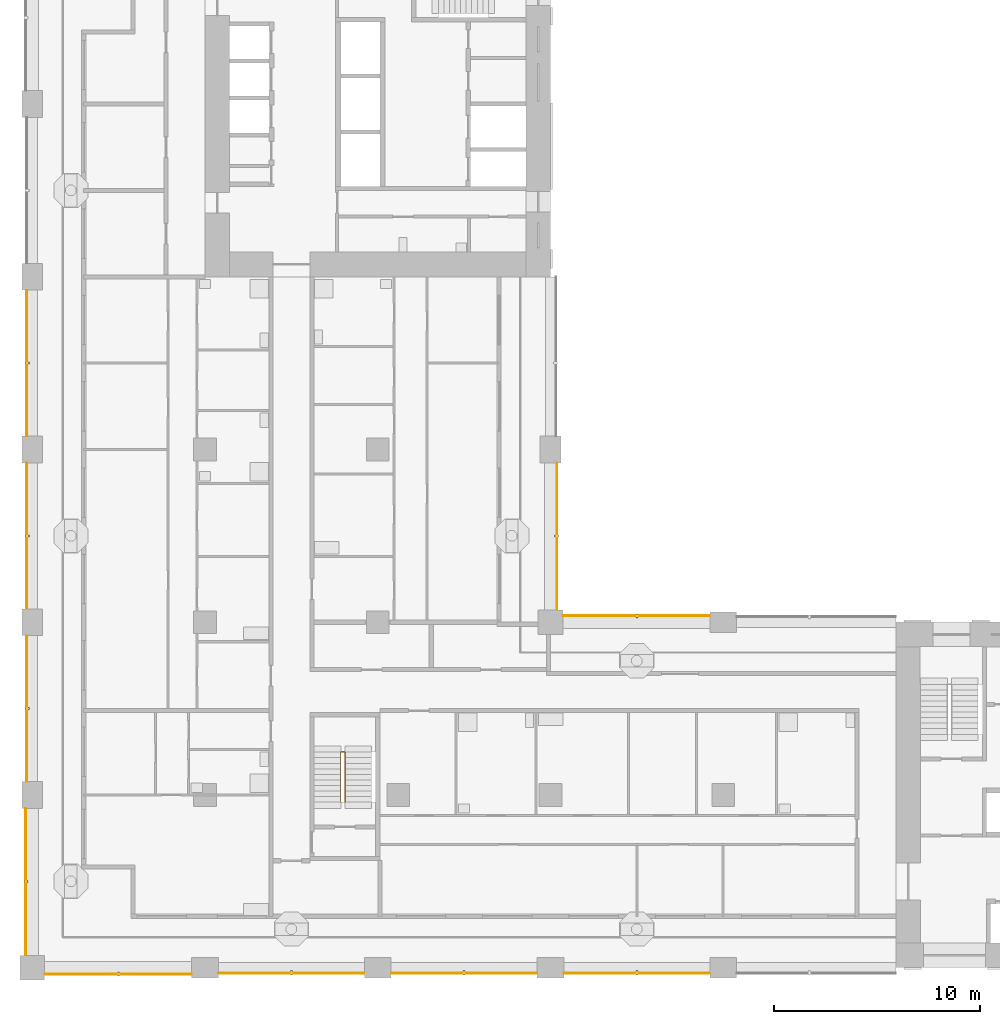
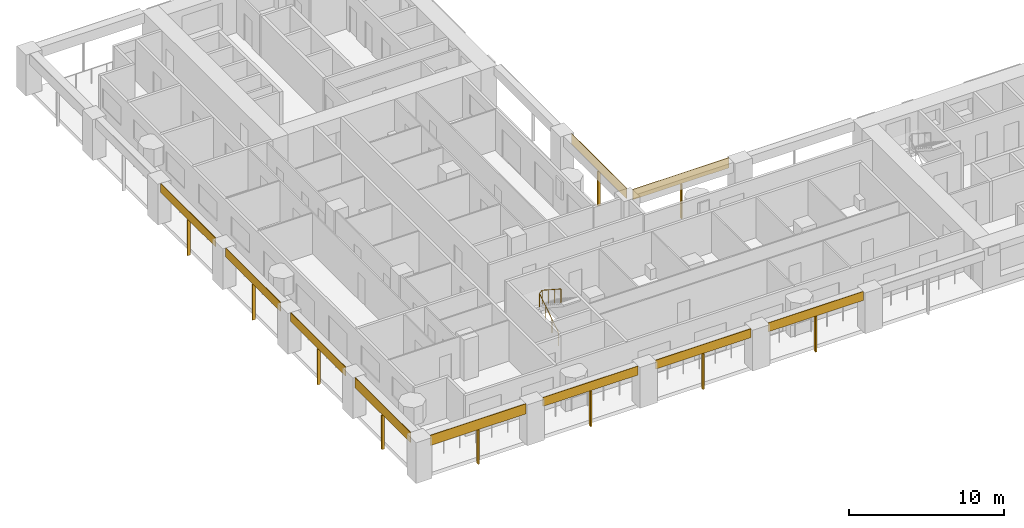
# One storey, part 9 of 18: 20 shading devices, 1 railing.
"""IFC4 building model written with IfcOpenShell, lengths in metres."""

import ifcopenshell
import ifcopenshell.guid

model = None  # the IFC model being written
_history = None  # IfcOwnerHistory: only IFC2X3 demands one
_inside = {}  # id of a spatial element -> (the spatial element, [elements in it])
_under = {}  # id of a project, library or spatial element -> (it, [spatial elements below it])
_declared = {}  # id of a project -> (the project, [libraries it declares])
_typed = {}  # id of a type object -> (the type object, [elements of that type])
_made_of = {}  # id of a material, layer set ... -> (it, [elements and type objects made of it])


def new_model(schema):
    """Start an empty IFC model of exactly this schema.

    Asked for "IFC4X3", IfcOpenShell would pick the latest addendum, in which some entities
    have other attributes; the version numbers below select the first issue.
    IFC2X3 requires an IfcOwnerHistory on every rooted entity: one is made here for all.
    """
    global model, _history
    if schema == "IFC4X3":
        model = ifcopenshell.file(schema_version=(4, 3, 0, 0))
    else:
        model = ifcopenshell.file(schema=schema)
    _inside.clear()
    _under.clear()
    _declared.clear()
    _typed.clear()
    _made_of.clear()
    _history = None
    if model.schema == "IFC2X3":
        org = make("IfcOrganization", Name="unknown")
        user = make(
            "IfcPersonAndOrganization",
            ThePerson=make("IfcPerson", FamilyName="unknown"),
            TheOrganization=org,
        )
        app = make(
            "IfcApplication",
            ApplicationDeveloper=org,
            Version="unknown",
            ApplicationFullName="unknown",
            ApplicationIdentifier="unknown",
        )
        _history = make(
            "IfcOwnerHistory",
            OwningUser=user,
            OwningApplication=app,
            ChangeAction="ADDED",
            CreationDate=0,
        )
    return model


def make(cls, **values):
    """One entity of the class cls with the attributes given. An attribute that is None is left unset."""
    return model.create_entity(
        cls, **{name: value for name, value in values.items() if value is not None}
    )


def rooted(cls, **values):
    """An entity with a GlobalId (a new one), such as an element, a storey or a relation."""
    return make(cls, GlobalId=ifcopenshell.guid.new(), OwnerHistory=_history, **values)


def si_unit(unit_type, name, prefix=None):
    """IfcSIUnit, for example si_unit("LENGTHUNIT", "METRE", prefix="MILLI")."""
    return make("IfcSIUnit", UnitType=unit_type, Prefix=prefix, Name=name)


def assignment(units):
    """IfcUnitAssignment: the units of a project."""
    return None if units is None else make("IfcUnitAssignment", Units=units)


def point(xyz):
    """IfcCartesianPoint."""
    return None if xyz is None else make("IfcCartesianPoint", Coordinates=xyz)


def direction(xyz):
    """IfcDirection."""
    return None if xyz is None else make("IfcDirection", DirectionRatios=xyz)


def frame(location, z_axis=None, x_axis=None):
    """IfcAxis2Placement3D, a coordinate frame: its origin and axes. An axis left out is left unset."""
    return make(
        "IfcAxis2Placement3D",
        Location=point(location),
        Axis=direction(z_axis),
        RefDirection=direction(x_axis),
    )


def frame_2d(location, x_axis=None):
    """IfcAxis2Placement2D, a coordinate frame in the plane: its origin and x axis."""
    return make(
        "IfcAxis2Placement2D", Location=point(location), RefDirection=direction(x_axis)
    )


def origin():
    """The frame at (0, 0, 0) with its axes left unset."""
    return frame((0.0, 0.0, 0.0))


def origin_2d():
    """The frame at (0, 0) in the plane with its x axis left unset."""
    return frame_2d((0.0, 0.0))


def place(relative_to, where):
    """IfcLocalPlacement: puts the frame where relative to a parent placement (None: the world)."""
    return make(
        "IfcLocalPlacement", PlacementRelTo=relative_to, RelativePlacement=where
    )


def context(
    kind, dimensions, precision=None, world=None, true_north=None, identifier=None
):
    """IfcGeometricRepresentationContext, for example the 3D "Model" context."""
    return make(
        "IfcGeometricRepresentationContext",
        ContextIdentifier=identifier,
        ContextType=kind,
        CoordinateSpaceDimension=dimensions,
        Precision=precision,
        WorldCoordinateSystem=world,
        TrueNorth=true_north,
    )


def subcontext(parent, identifier, kind, view, scale=None):
    """IfcGeometricRepresentationSubContext, for example "Body" below "Model"."""
    return make(
        "IfcGeometricRepresentationSubContext",
        ContextIdentifier=identifier,
        ContextType=kind,
        ParentContext=parent,
        TargetScale=scale,
        TargetView=view,
    )


def project(units=None, contexts=None):
    """IfcProject with its units and contexts."""
    return rooted(
        "IfcProject",
        Name="project",
        RepresentationContexts=contexts,
        UnitsInContext=assignment(units),
    )


def spatial(cls, under=None, at=None, **own):
    """A site, building, storey or space (cls), placed at a placement, below another one or the project."""
    s = rooted(cls, ObjectPlacement=at, **own)
    if under is not None:
        _under.setdefault(under.id(), (under, []))[1].append(s)
    return s


def profile(cls, at=None, kind="AREA", **sizes):
    """A parametric profile (cls). Its sizes go by their IFC names, for example OverallWidth=200.0."""
    return make(cls, ProfileType=kind, Position=at, **sizes)


def rectangle(**sizes):
    """IfcRectangleProfileDef."""
    return profile("IfcRectangleProfileDef", **sizes)


def circle(**sizes):
    """IfcCircleProfileDef."""
    return profile("IfcCircleProfileDef", **sizes)


def extrude(swept, where, along, depth):
    """IfcExtrudedAreaSolid: the profile swept, set in the frame where, extruded along a direction by depth."""
    return make(
        "IfcExtrudedAreaSolid",
        SweptArea=swept,
        Position=where,
        ExtrudedDirection=direction(along),
        Depth=depth,
    )


def shape(context_of_items, identifier, shape_type, items):
    """IfcShapeRepresentation: the items that make up one representation, for example the "Body"."""
    return make(
        "IfcShapeRepresentation",
        ContextOfItems=context_of_items,
        RepresentationIdentifier=identifier,
        RepresentationType=shape_type,
        Items=items,
    )


def material(Name=None, Category=None):
    """IfcMaterial."""
    return make("IfcMaterial", Name=Name, Category=Category)


def layer(
    of_material, thickness, ventilated=None, Name=None, Category=None, Priority=None
):
    """IfcMaterialLayer: one layer of a wall or slab, of a material (None: an air gap)."""
    return make(
        "IfcMaterialLayer",
        Material=of_material,
        LayerThickness=thickness,
        IsVentilated=ventilated,
        Name=Name,
        Category=Category,
        Priority=Priority,
    )


def layer_set(layers, Name=None):
    """IfcMaterialLayerSet."""
    return make("IfcMaterialLayerSet", MaterialLayers=layers, LayerSetName=Name)


def material_profile(
    of_material, cross_section, Name=None, Category=None, Priority=None
):
    """IfcMaterialProfile: a cross section and its material."""
    return make(
        "IfcMaterialProfile",
        Name=Name,
        Material=of_material,
        Profile=cross_section,
        Priority=Priority,
        Category=Category,
    )


def profile_set(profiles, Name=None, composite=None):
    """IfcMaterialProfileSet."""
    return make(
        "IfcMaterialProfileSet",
        Name=Name,
        MaterialProfiles=profiles,
        CompositeProfile=composite,
    )


def made_of(thing, what):
    """Note that an element or type object is made of a material, layer set ...; save() writes the relation."""
    if what is not None:
        _made_of.setdefault(what.id(), (what, []))[1].append(thing)
    return thing


def type_object(cls, material=None, **own):
    """A type object (cls), such as IfcWallType, which elements share."""
    return made_of(rooted(cls, **own), material)


def element(
    cls,
    number,
    at=None,
    inside=None,
    cuts=None,
    type_object=None,
    material=None,
    context=None,
    identifier="Body",
    shape_type=None,
    held_by="IfcProductDefinitionShape",
    body=None,
    shapes=None,
    **own,
):
    """One element of the class cls, such as IfcWall. Its Tag is "e" and its number.

    at: its placement. inside: the storey or other place that contains it. cuts: it is an
    opening in that element (IfcRelVoidsElement). A single representation is given by context,
    identifier, shape_type and body (its items); several are given by shapes. held_by: the class
    of the entity that holds the representations. save() writes the other relations.
    """
    e = rooted(cls, Tag="e%d" % number, ObjectPlacement=at, **own)
    if body is not None:
        shapes = [shape(context, identifier, shape_type, body)]
    if shapes is not None:
        e.Representation = make(held_by, Representations=shapes)
    if inside is not None:
        _inside.setdefault(inside.id(), (inside, []))[1].append(e)
    if cuts is not None:
        rooted(
            "IfcRelVoidsElement", RelatingBuildingElement=cuts, RelatedOpeningElement=e
        )
    if type_object is not None:
        _typed.setdefault(type_object.id(), (type_object, []))[1].append(e)
    return made_of(e, material)


def aggregate(whole, parts):
    """IfcRelAggregates: a whole, such as a stair, and the parts it consists of."""
    return rooted("IfcRelAggregates", RelatingObject=whole, RelatedObjects=parts)


def save(model, path):
    """Write the relations noted so far, then the file.

    IfcRelAggregates (storeys below a building ...), IfcRelContainedInSpatialStructure (elements
    in a storey), IfcRelDefinesByType, IfcRelAssociatesMaterial and IfcRelDeclares: one each for
    every whole, place, type object, material and project.
    """
    for whole, parts in _under.values():
        aggregate(whole, parts)
    for where, things in _inside.values():
        rooted(
            "IfcRelContainedInSpatialStructure",
            RelatedElements=things,
            RelatingStructure=where,
        )
    for kind, things in _typed.values():
        rooted("IfcRelDefinesByType", RelatedObjects=things, RelatingType=kind)
    for what, things in _made_of.values():
        rooted("IfcRelAssociatesMaterial", RelatedObjects=things, RelatingMaterial=what)
    for by, libraries in _declared.values():
        rooted("IfcRelDeclares", RelatingContext=by, RelatedDefinitions=libraries)
    model.write(path)


model = new_model("IFC4")

# Units and contexts
model_context = context("Model", 3, precision=1e-05, world=origin(), true_north=direction((0.0, 1.0)))
body_context = subcontext(model_context, "Body", "Model", "MODEL_VIEW")
ifc_project = project(units=[si_unit("LENGTHUNIT", "METRE"), si_unit("AREAUNIT", "SQUARE_METRE"), si_unit("VOLUMEUNIT", "CUBIC_METRE"), si_unit("PLANEANGLEUNIT", "RADIAN"), si_unit("MASSUNIT", "GRAM", prefix="KILO")], contexts=[model_context])

# Site, building, storey
site_placement = place(None, origin())
site = spatial("IfcSite", under=ifc_project, at=site_placement, CompositionType="ELEMENT")
building_placement = place(site_placement, origin())
building = spatial("IfcBuilding", under=site, at=building_placement, Name="Vermilion Gate Residences", CompositionType="ELEMENT")
storey_placement = place(building_placement, frame((0.0, 0.0, 133.699951171875)))
storey = spatial("IfcBuildingStorey", under=building, at=storey_placement, Name="L34", CompositionType="ELEMENT", Elevation=133.699951171875)

# Shading devices
ifc_material_1 = material(Name="Perforated terracotta", Category="masonry")
ifc_layer = layer(ifc_material_1, 0.0400390625)
ifc_layer_set = layer_set([ifc_layer], Name="PERFORATED TERRACOTTA SCREEN 40")
shading_device_type_1 = type_object("IfcShadingDeviceType", Name="PERFORATED TERRACOTTA SCREEN 40", PredefinedType="SHUTTER", material=ifc_layer_set)
shading_device_1_placement = place(storey_placement, frame((4.175048828125, 8.080078125, 2.419921875), z_axis=(0.0, 0.0, 1.0), x_axis=(1.0, 0.0, 0.0)))
element("IfcShadingDevice", 1, at=shading_device_1_placement, inside=storey, type_object=shading_device_type_1, Name="SCREEN", PredefinedType="SHUTTER", context=body_context, shape_type="SweptSolid", body=[
    extrude(rectangle(XDim=7.14990234375, YDim=0.0400390625, at=origin_2d()), origin(), (0.0, 0.0, 1.0), 0.800048828125),
])
for number, where, z_axis, x_axis, name in (
    (2, (12.60009765625, 8.1298828125, 2.52001953125), (0.0, 0.0, 1.0), (1.0, 0.0, 0.0), "SCREEN"),
    (3, (21.0, 8.1298828125, 2.52001953125), (0.0, 0.0, 1.0), (1.0, 0.0, 0.0), "SCREEN"),
    (4, (29.39990234375, 8.1298828125, 2.52001953125), (0.0, 0.0, 1.0), (1.0, 0.0, 0.0), "SCREEN"),
):
    element("IfcShadingDevice", number, at=place(storey_placement, frame(where, z_axis=z_axis, x_axis=x_axis)), inside=storey, type_object=shading_device_type_1, Name=name, PredefinedType="SHUTTER", context=body_context, shape_type="SweptSolid", body=[
        extrude(rectangle(XDim=7.10009765625, YDim=0.0400390625, at=origin_2d()), origin(), (0.0, 0.0, 1.0), 0.699951171875),
    ])
for number, where, z_axis, x_axis, name in (
    (5, (29.375, 25.52001953125, 2.419921875), (0.0, 0.0, 1.0), (-1.0, 0.0, 0.0), "SCREEN"),
    (6, (25.52001953125, 29.375, 2.419921875), (0.0, 0.0, 1.0), (0.0, 1.0, 0.0), "SCREEN"),
    (7, (-0.320068359375, 12.574951171875, 2.419921875), (0.0, 0.0, 1.0), (0.0, -1.0, 0.0), "SCREEN"),
):
    element("IfcShadingDevice", number, at=place(storey_placement, frame(where, z_axis=z_axis, x_axis=x_axis)), inside=storey, type_object=shading_device_type_1, Name=name, PredefinedType="SHUTTER", context=body_context, shape_type="SweptSolid", body=[
        extrude(rectangle(XDim=7.14990234375, YDim=0.0400390625, at=origin_2d()), origin(), (0.0, 0.0, 1.0), 0.800048828125),
    ])
for number, where, z_axis, x_axis, name in (
    (8, (-0.27001953125, 21.0, 2.52001953125), (0.0, 0.0, 1.0), (0.0, -1.0, 0.0), "SCREEN"),
    (9, (-0.27001953125, 29.39990234375, 2.52001953125), (0.0, 0.0, 1.0), (0.0, -1.0, 0.0), "SCREEN"),
    (10, (-0.27001953125, 37.800048828125, 2.52001953125), (0.0, 0.0, 1.0), (0.0, -1.0, 0.0), "SCREEN"),
):
    element("IfcShadingDevice", number, at=place(storey_placement, frame(where, z_axis=z_axis, x_axis=x_axis)), inside=storey, type_object=shading_device_type_1, Name=name, PredefinedType="SHUTTER", context=body_context, shape_type="SweptSolid", body=[
        extrude(rectangle(XDim=7.10009765625, YDim=0.0400390625, at=origin_2d()), origin(), (0.0, 0.0, 1.0), 0.699951171875),
    ])

# Railing
ifc_material_2 = material(Name="Steel S355", Category="steel")
railing_type = type_object("IfcRailingType", Name="STAIR GUARD 1100 STEEL", PredefinedType="GUARDRAIL", material=ifc_material_2)
railing_placement = place(storey_placement, frame((15.0, 16.449951171875, 0.175048828125)))
element("IfcRailing", 11, at=railing_placement, inside=storey, type_object=railing_type, Name="Stair well guard STC1-34", PredefinedType="GUARDRAIL", context=body_context, shape_type="SweptSolid", body=[
    extrude(circle(Radius=0.02392578125, at=origin_2d()), frame((0.0, 0.0, 1.076171875), z_axis=(0.0, 0.839153699163, 0.543894354798), x_axis=(-1.0, 0.0, 0.0)), (0.0, 0.0, 1.0), 2.895751953125),
    extrude(circle(Radius=0.02392578125, at=origin_2d()), frame((0.0, 2.429931640625, 2.65087890625), z_axis=(0.752405939678, 0.0, 0.658699705433), x_axis=(0.0, 1.0, 0.0)), (0.0, 0.0, 1.0), 0.265869140625),
    extrude(circle(Radius=0.02392578125, at=origin_2d()), frame((0.199951171875, 2.429931640625, 2.826171875), z_axis=(0.0, -0.839153699163, 0.543894354798), x_axis=(1.0, 0.0, 0.0)), (0.0, 0.0, 1.0), 2.895751953125),
    extrude(circle(Radius=0.02099609375, at=origin_2d()), origin(), (0.0, 0.0, 1.0), 1.052001953125),
    extrude(circle(Radius=0.02099609375, at=origin_2d()), frame((0.0, 0.81005859375, 0.52490234375)), (0.0, 0.0, 1.0), 1.052001953125),
    extrude(circle(Radius=0.02099609375, at=origin_2d()), frame((0.0, 1.619873046875, 1.050048828125)), (0.0, 0.0, 1.0), 1.052001953125),
    extrude(circle(Radius=0.02099609375, at=origin_2d()), frame((0.0, 2.429931640625, 1.574951171875)), (0.0, 0.0, 1.0), 1.052001953125),
    extrude(circle(Radius=0.02099609375, at=origin_2d()), frame((0.199951171875, 2.429931640625, 1.75)), (0.0, 0.0, 1.0), 1.052001953125),
    extrude(circle(Radius=0.02099609375, at=origin_2d()), frame((0.199951171875, 1.619873046875, 2.27490234375)), (0.0, 0.0, 1.0), 1.052001953125),
    extrude(circle(Radius=0.02099609375, at=origin_2d()), frame((0.199951171875, 0.81005859375, 2.800048828125)), (0.0, 0.0, 1.0), 1.052001953125),
    extrude(circle(Radius=0.02099609375, at=origin_2d()), frame((0.199951171875, 0.0, 3.324951171875)), (0.0, 0.0, 1.0), 1.052001953125),
])

# Shading devices
ifc_material_3 = material(Name="Extruded terracotta", Category="masonry")
ifc_material_profile = material_profile(ifc_material_3, rectangle(XDim=0.199951171875, YDim=0.10009765625, at=origin_2d()), Name="BAGUETTE 100 X 200")
ifc_profile_set = profile_set([ifc_material_profile], Name="Extruded terracotta")
shading_device_type_2 = type_object("IfcShadingDeviceType", Name="TERRACOTTA BAGUETTE 100 X 200", PredefinedType="JALOUSIE", material=ifc_profile_set)
shading_device_2_placement = place(storey_placement, frame((4.199951171875, 8.10009765625, -0.280029296875), z_axis=(0.0, 0.0, 1.0), x_axis=(0.0, 1.0, 0.0)))
element("IfcShadingDevice", 12, at=shading_device_2_placement, inside=storey, type_object=shading_device_type_2, Name="BAGUETTE", PredefinedType="JALOUSIE", context=body_context, shape_type="SweptSolid", body=[
    extrude(rectangle(XDim=0.199951171875, YDim=0.10009765625, at=origin_2d()), origin(), (0.0, 0.0, 1.0), 2.7001953125),
])
for number, where, z_axis, x_axis, name in (
    (13, (12.60009765625, 8.14990234375, -0.280029296875), (0.0, 0.0, 1.0), (0.0, 1.0, 0.0), "BAGUETTE"),
    (14, (21.0, 8.14990234375, -0.280029296875), (0.0, 0.0, 1.0), (0.0, 1.0, 0.0), "BAGUETTE"),
    (15, (29.39990234375, 8.14990234375, -0.280029296875), (0.0, 0.0, 1.0), (0.0, 1.0, 0.0), "BAGUETTE"),
):
    element("IfcShadingDevice", number, at=place(storey_placement, frame(where, z_axis=z_axis, x_axis=x_axis)), inside=storey, type_object=shading_device_type_2, Name=name, PredefinedType="JALOUSIE", context=body_context, shape_type="SweptSolid", body=[
        extrude(rectangle(XDim=0.199951171875, YDim=0.10009765625, at=origin_2d()), origin(), (0.0, 0.0, 1.0), 2.800048828125),
    ])
for number, where, z_axis, x_axis, name in (
    (16, (29.39990234375, 25.5, -0.280029296875), (0.0, 0.0, 1.0), (0.0, -1.0, 0.0), "BAGUETTE"),
    (17, (25.5, 29.39990234375, -0.280029296875), (0.0, 0.0, 1.0), (-1.0, 0.0, 0.0), "BAGUETTE"),
    (18, (-0.300048828125, 12.60009765625, -0.280029296875), (0.0, 0.0, 1.0), (1.0, 0.0, 0.0), "BAGUETTE"),
):
    element("IfcShadingDevice", number, at=place(storey_placement, frame(where, z_axis=z_axis, x_axis=x_axis)), inside=storey, type_object=shading_device_type_2, Name=name, PredefinedType="JALOUSIE", context=body_context, shape_type="SweptSolid", body=[
        extrude(rectangle(XDim=0.199951171875, YDim=0.10009765625, at=origin_2d()), origin(), (0.0, 0.0, 1.0), 2.7001953125),
    ])
for number, where, z_axis, x_axis, name in (
    (19, (-0.25, 21.0, -0.280029296875), (0.0, 0.0, 1.0), (1.0, 0.0, 0.0), "BAGUETTE"),
    (20, (-0.25, 29.39990234375, -0.280029296875), (0.0, 0.0, 1.0), (1.0, 0.0, 0.0), "BAGUETTE"),
    (21, (-0.25, 37.800048828125, -0.280029296875), (0.0, 0.0, 1.0), (1.0, 0.0, 0.0), "BAGUETTE"),
):
    element("IfcShadingDevice", number, at=place(storey_placement, frame(where, z_axis=z_axis, x_axis=x_axis)), inside=storey, type_object=shading_device_type_2, Name=name, PredefinedType="JALOUSIE", context=body_context, shape_type="SweptSolid", body=[
        extrude(rectangle(XDim=0.199951171875, YDim=0.10009765625, at=origin_2d()), origin(), (0.0, 0.0, 1.0), 2.800048828125),
    ])

save(model, "model.ifc")
